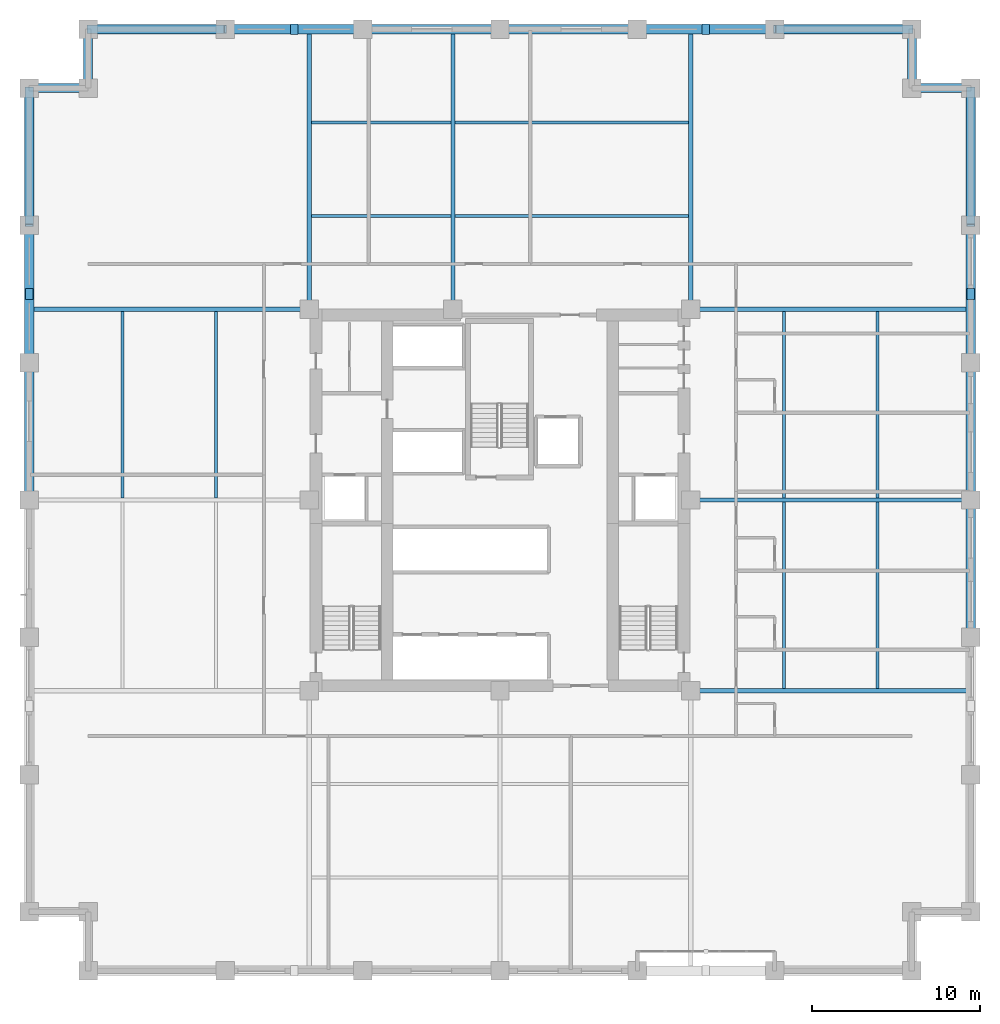
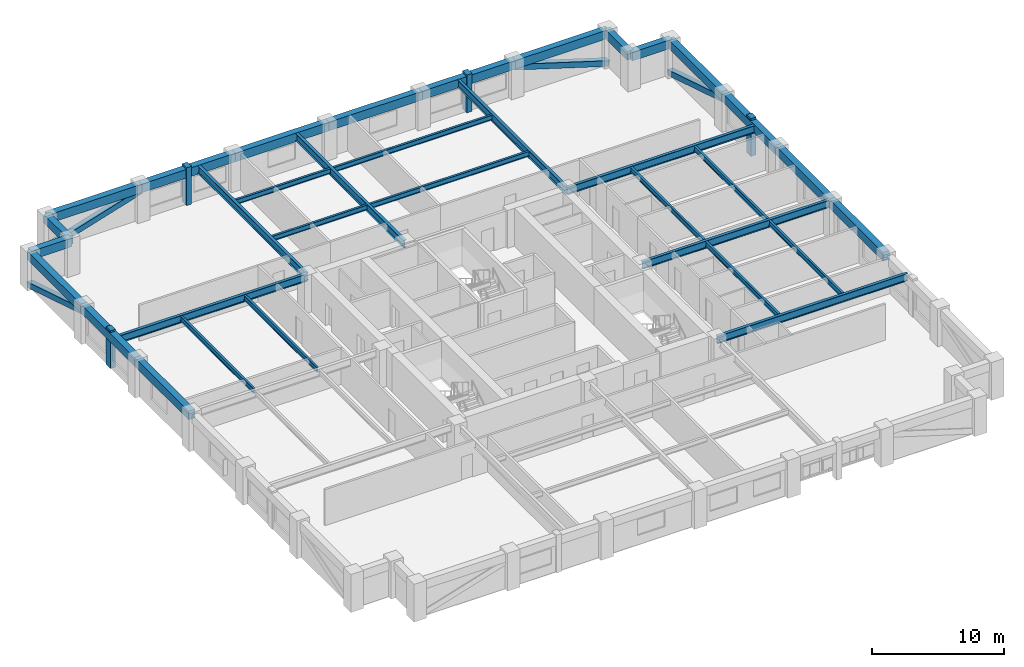
# One storey, part 3 of 11: 34 beams, 8 members.
"""IFC4 building model written with IfcOpenShell, lengths in metres."""

from ifc_helpers import new_model, si_unit, direction, frame, origin, origin_2d, place, context, subcontext, project, spatial, rectangle, hollow_rectangle, i_section, extrude, material, material_profile, profile_set, type_object, element, save


model = new_model("IFC4")

# Units and contexts
model_context = context("Model", 3, precision=1e-05, world=origin(), true_north=direction((0.0, 1.0)))
body_context = subcontext(model_context, "Body", "Model", "MODEL_VIEW")
ifc_project = project(units=[si_unit("LENGTHUNIT", "METRE"), si_unit("AREAUNIT", "SQUARE_METRE"), si_unit("VOLUMEUNIT", "CUBIC_METRE"), si_unit("PLANEANGLEUNIT", "RADIAN"), si_unit("MASSUNIT", "GRAM", prefix="KILO")], contexts=[model_context])

# Site, building, storey
site_placement = place(None, origin())
site = spatial("IfcSite", under=ifc_project, at=site_placement, CompositionType="ELEMENT")
building_placement = place(site_placement, origin())
building = spatial("IfcBuilding", under=site, at=building_placement, Name="Nhamokura Convention Tower", CompositionType="ELEMENT")
storey_placement = place(building_placement, frame((0.0, 0.0, 70.35009765625)))
storey = spatial("IfcBuildingStorey", under=building, at=storey_placement, Name="L16", CompositionType="ELEMENT", Elevation=70.35009765625)

# Members
ifc_material_1 = material(Name="Bronze-pigmented precast concrete C45/55", Category="concrete")
ifc_material_profile_1 = material_profile(ifc_material_1, rectangle(XDim=0.449951171875, YDim=0.64990234375, at=origin_2d()))
ifc_profile_set_1 = profile_set([ifc_material_profile_1], Name="Bronze-pigmented precast concrete C45/55")
member_type_1 = type_object("IfcMemberType", Name="BronzePilaster_650", PredefinedType="USERDEFINED", material=ifc_profile_set_1)
for number, where, z_axis, x_axis, name in (
    (1, (19.75, 60.0, 0.0), (0.0, 0.0, 1.0), (1.0, 0.0, 0.0), "L16 Engaged Frame Pilaster NORTH 1"),
    (2, (44.25, 60.0, 0.0), (0.0, 0.0, 1.0), (1.0, 0.0, 0.0), "L16 Engaged Frame Pilaster NORTH 4"),
    (3, (4.0, 44.25, 0.0), (0.0, 0.0, 1.0), (1.0, 0.0, 0.0), "L16 Engaged Frame Pilaster WEST 4"),
    (4, (60.0, 44.25, 0.0), (0.0, 0.0, 1.0), (1.0, 0.0, 0.0), "L16 Engaged Frame Pilaster EAST 4"),
):
    element("IfcMember", number, at=place(storey_placement, frame(where, z_axis=z_axis, x_axis=x_axis)), inside=storey, type_object=member_type_1, Name=name, ObjectType="PILASTER_TRIM", PredefinedType="USERDEFINED", context=body_context, shape_type="SweptSolid", body=[
        extrude(rectangle(XDim=0.449951171875, YDim=0.64990234375, at=origin_2d()), origin(), (0.0, 0.0, 1.0), 3.5),
    ])

# Beams
ifc_material_2 = material(Name="Steel ASTM A992 Gr 50", Category="steel")
ifc_material_profile_2 = material_profile(ifc_material_2, i_section(OverallWidth=0.18994140625, OverallDepth=0.45703125, WebThickness=0.009033203125, FlangeThickness=0.014404296875, at=origin_2d()))
ifc_profile_set_2 = profile_set([ifc_material_profile_2], Name="Steel ASTM A992 Gr 50")
beam_type_1 = type_object("IfcBeamType", Name="FloorJoist_W460X74", PredefinedType="JOIST", material=ifc_profile_set_2)
beam_1_placement = place(storey_placement, frame((20.77587890625, 48.89990234375, 3.09130859375), z_axis=(1.0, 0.0, 0.0), x_axis=(0.0, 1.0, 0.0)))
element("IfcBeam", 5, at=beam_1_placement, inside=storey, type_object=beam_type_1, Name="L16 Composite Floor Joist N1A", PredefinedType="JOIST", context=body_context, shape_type="SweptSolid", body=[
    extrude(i_section(OverallWidth=0.18994140625, OverallDepth=0.45703125, WebThickness=0.009033203125, FlangeThickness=0.014404296875, at=origin_2d()), origin(), (0.0, 0.0, 1.0), 8.298095703125),
])
beam_2_placement = place(storey_placement, frame((29.325927734375, 48.89990234375, 3.09130859375), z_axis=(1.0, 0.0, 0.0), x_axis=(0.0, 1.0, 0.0)))
element("IfcBeam", 6, at=beam_2_placement, inside=storey, type_object=beam_type_1, Name="L16 Composite Floor Joist N1B", PredefinedType="JOIST", context=body_context, shape_type="SweptSolid", body=[
    extrude(i_section(OverallWidth=0.18994140625, OverallDepth=0.45703125, WebThickness=0.009033203125, FlangeThickness=0.014404296875, at=origin_2d()), origin(), (0.0, 0.0, 1.0), 13.898193359375),
])
beam_3_placement = place(storey_placement, frame((20.77587890625, 54.449951171875, 3.09130859375), z_axis=(1.0, 0.0, 0.0), x_axis=(0.0, 1.0, 0.0)))
element("IfcBeam", 7, at=beam_3_placement, inside=storey, type_object=beam_type_1, Name="L16 Composite Floor Joist N2A", PredefinedType="JOIST", context=body_context, shape_type="SweptSolid", body=[
    extrude(i_section(OverallWidth=0.18994140625, OverallDepth=0.45703125, WebThickness=0.009033203125, FlangeThickness=0.014404296875, at=origin_2d()), origin(), (0.0, 0.0, 1.0), 8.298095703125),
])
beam_4_placement = place(storey_placement, frame((29.325927734375, 54.449951171875, 3.09130859375), z_axis=(1.0, 0.0, 0.0), x_axis=(0.0, 1.0, 0.0)))
element("IfcBeam", 8, at=beam_4_placement, inside=storey, type_object=beam_type_1, Name="L16 Composite Floor Joist N2B", PredefinedType="JOIST", context=body_context, shape_type="SweptSolid", body=[
    extrude(i_section(OverallWidth=0.18994140625, OverallDepth=0.45703125, WebThickness=0.009033203125, FlangeThickness=0.014404296875, at=origin_2d()), origin(), (0.0, 0.0, 1.0), 13.898193359375),
])
for number, where, z_axis, x_axis, name in (
    (9, (9.550048828125, 32.1259765625, 3.09130859375), (0.0, 1.0, 0.0), (-1.0, 0.0, 0.0), "L16 Composite Floor Joist W1B"),
    (10, (15.10009765625, 32.1259765625, 3.09130859375), (0.0, 1.0, 0.0), (-1.0, 0.0, 0.0), "L16 Composite Floor Joist W2B"),
    (11, (48.89990234375, 20.77587890625, 3.09130859375), (0.0, 1.0, 0.0), (-1.0, 0.0, 0.0), "L16 Composite Floor Joist E1A"),
    (12, (48.89990234375, 32.1259765625, 3.09130859375), (0.0, 1.0, 0.0), (-1.0, 0.0, 0.0), "L16 Composite Floor Joist E1B"),
    (13, (54.449951171875, 20.77587890625, 3.09130859375), (0.0, 1.0, 0.0), (-1.0, 0.0, 0.0), "L16 Composite Floor Joist E2A"),
    (14, (54.449951171875, 32.1259765625, 3.09130859375), (0.0, 1.0, 0.0), (-1.0, 0.0, 0.0), "L16 Composite Floor Joist E2B"),
):
    element("IfcBeam", number, at=place(storey_placement, frame(where, z_axis=z_axis, x_axis=x_axis)), inside=storey, type_object=beam_type_1, Name=name, PredefinedType="JOIST", context=body_context, shape_type="SweptSolid", body=[
        extrude(i_section(OverallWidth=0.18994140625, OverallDepth=0.45703125, WebThickness=0.009033203125, FlangeThickness=0.014404296875, at=origin_2d()), origin(), (0.0, 0.0, 1.0), 11.09814453125),
    ])
ifc_material_3 = material(Name="Steel ASTM A992 Gr 50", Category="steel")
ifc_material_profile_3 = material_profile(ifc_material_3, i_section(OverallWidth=0.256103515625, OverallDepth=0.693115234375, WebThickness=0.014404296875, FlangeThickness=0.023681640625, at=origin_2d()))
ifc_profile_set_3 = profile_set([ifc_material_profile_3], Name="Steel ASTM A992 Gr 50")
beam_type_2 = type_object("IfcBeamType", Name="PrimaryGirder_W690X170", PredefinedType="BEAM", material=ifc_profile_set_3)
for number, where, z_axis, x_axis, name in (
    (15, (20.64990234375, 43.35009765625, 2.973388671875), (0.0, 1.0, 0.0), (-1.0, 0.0, 0.0), "L16 Primary Floor Girder PG-N1"),
    (16, (29.199951171875, 43.35009765625, 2.973388671875), (0.0, 1.0, 0.0), (-1.0, 0.0, 0.0), "L16 Primary Floor Girder PG-N2"),
    (17, (43.35009765625, 43.35009765625, 2.973388671875), (0.0, 1.0, 0.0), (-1.0, 0.0, 0.0), "L16 Primary Floor Girder PG-N3"),
    (18, (4.0, 43.35009765625, 2.973388671875), (1.0, 0.0, 0.0), (0.0, 1.0, 0.0), "L16 Primary Floor Girder PG-W3"),
    (19, (43.35009765625, 20.64990234375, 2.973388671875), (1.0, 0.0, 0.0), (0.0, 1.0, 0.0), "L16 Primary Floor Girder PG-E1"),
    (20, (43.35009765625, 32.0, 2.973388671875), (1.0, 0.0, 0.0), (0.0, 1.0, 0.0), "L16 Primary Floor Girder PG-E2"),
    (21, (43.35009765625, 43.35009765625, 2.973388671875), (1.0, 0.0, 0.0), (0.0, 1.0, 0.0), "L16 Primary Floor Girder PG-E3"),
):
    element("IfcBeam", number, at=place(storey_placement, frame(where, z_axis=z_axis, x_axis=x_axis)), inside=storey, type_object=beam_type_2, Name=name, PredefinedType="BEAM", context=body_context, shape_type="SweptSolid", body=[
        extrude(i_section(OverallWidth=0.256103515625, OverallDepth=0.693115234375, WebThickness=0.014404296875, FlangeThickness=0.023681640625, at=origin_2d()), origin(), (0.0, 0.0, 1.0), 16.64990234375),
    ])

# Members
ifc_material_4 = material(Name="Steel ASTM A572 Gr 50", Category="steel")
ifc_material_profile_4 = material_profile(ifc_material_4, hollow_rectangle(XDim=0.5, YDim=0.5, WallThickness=0.02490234375, at=origin_2d()))
ifc_profile_set_4 = profile_set([ifc_material_profile_4], Name="Steel ASTM A572 Gr 50")
member_type_2 = type_object("IfcMemberType", Name="TubeBrace_HSS500", PredefinedType="BRACE", material=ifc_profile_set_4)
for number, where, z_axis, x_axis, name in (
    (22, (7.5, 60.0, 0.14990234375), (0.955542765986, 0.0, 0.294852543437), (0.0, 1.0, 0.0), "L16 Perimeter Tube Brace NORTH Bay 0"),
    (23, (56.5, 60.0, 0.14990234375), (-0.955542765986, 0.0, 0.294852543437), (0.0, -1.0, 0.0), "L16 Perimeter Tube Brace NORTH Bay 5"),
    (24, (4.0, 56.5, 0.14990234375), (0.0, -0.955542765986, 0.294852543437), (1.0, 0.0, 0.0), "L16 Perimeter Tube Brace WEST Bay 5"),
    (25, (60.0, 56.5, 0.14990234375), (0.0, -0.955542765986, 0.294852543437), (1.0, 0.0, 0.0), "L16 Perimeter Tube Brace EAST Bay 5"),
):
    element("IfcMember", number, at=place(storey_placement, frame(where, z_axis=z_axis, x_axis=x_axis)), inside=storey, type_object=member_type_2, Name=name, PredefinedType="BRACE", context=body_context, shape_type="SweptSolid", body=[
        extrude(hollow_rectangle(XDim=0.5, YDim=0.5, WallThickness=0.02490234375, at=origin_2d()), origin(), (0.0, 0.0, 1.0), 8.546630859375),
    ])

# Beams
ifc_material_5 = material(Name="Concrete C50/60", Category="concrete")
ifc_material_profile_5 = material_profile(ifc_material_5, rectangle(XDim=0.550048828125, YDim=0.800048828125, at=origin_2d()))
ifc_profile_set_5 = profile_set([ifc_material_profile_5], Name="Concrete C50/60")
beam_type_3 = type_object("IfcBeamType", Name="TubeSpandrel_800", PredefinedType="SPANDREL", material=ifc_profile_set_5)
beam_5_placement = place(storey_placement, frame((7.5, 60.0, 2.919921875), z_axis=(1.0, 0.0, 0.0), x_axis=(0.0, 1.0, 0.0)))
element("IfcBeam", 26, at=beam_5_placement, inside=storey, type_object=beam_type_3, Name="L16 Perimeter Spandrel NORTH 1", PredefinedType="SPANDREL", context=body_context, shape_type="SweptSolid", body=[
    extrude(rectangle(XDim=0.550048828125, YDim=0.800048828125, at=origin_2d()), origin(), (0.0, 0.0, 1.0), 8.166748046875),
])
beam_6_placement = place(storey_placement, frame((15.666748046875, 60.0, 2.919921875), z_axis=(1.0, 0.0, 0.0), x_axis=(0.0, 1.0, 0.0)))
element("IfcBeam", 27, at=beam_6_placement, inside=storey, type_object=beam_type_3, Name="L16 Perimeter Spandrel NORTH 2", PredefinedType="SPANDREL", context=body_context, shape_type="SweptSolid", body=[
    extrude(rectangle(XDim=0.550048828125, YDim=0.800048828125, at=origin_2d()), origin(), (0.0, 0.0, 1.0), 8.16650390625),
])
for number, where, z_axis, x_axis, name in (
    (28, (23.833251953125, 60.0, 2.919921875), (1.0, 0.0, 0.0), (0.0, 1.0, 0.0), "L16 Perimeter Spandrel NORTH 3"),
    (29, (32.0, 60.0, 2.919921875), (1.0, 0.0, 0.0), (0.0, 1.0, 0.0), "L16 Perimeter Spandrel NORTH 4"),
):
    element("IfcBeam", number, at=place(storey_placement, frame(where, z_axis=z_axis, x_axis=x_axis)), inside=storey, type_object=beam_type_3, Name=name, PredefinedType="SPANDREL", context=body_context, shape_type="SweptSolid", body=[
        extrude(rectangle(XDim=0.550048828125, YDim=0.800048828125, at=origin_2d()), origin(), (0.0, 0.0, 1.0), 8.166748046875),
    ])
beam_7_placement = place(storey_placement, frame((40.166748046875, 60.0, 2.919921875), z_axis=(1.0, 0.0, 0.0), x_axis=(0.0, 1.0, 0.0)))
element("IfcBeam", 30, at=beam_7_placement, inside=storey, type_object=beam_type_3, Name="L16 Perimeter Spandrel NORTH 5", PredefinedType="SPANDREL", context=body_context, shape_type="SweptSolid", body=[
    extrude(rectangle(XDim=0.550048828125, YDim=0.800048828125, at=origin_2d()), origin(), (0.0, 0.0, 1.0), 8.16650390625),
])
for number, where, z_axis, x_axis, name in (
    (31, (48.333251953125, 60.0, 2.919921875), (1.0, 0.0, 0.0), (0.0, 1.0, 0.0), "L16 Perimeter Spandrel NORTH 6"),
    (32, (4.0, 32.0, 2.919921875), (0.0, 1.0, 0.0), (-1.0, 0.0, 0.0), "L16 Perimeter Spandrel WEST 4"),
):
    element("IfcBeam", number, at=place(storey_placement, frame(where, z_axis=z_axis, x_axis=x_axis)), inside=storey, type_object=beam_type_3, Name=name, PredefinedType="SPANDREL", context=body_context, shape_type="SweptSolid", body=[
        extrude(rectangle(XDim=0.550048828125, YDim=0.800048828125, at=origin_2d()), origin(), (0.0, 0.0, 1.0), 8.166748046875),
    ])
beam_8_placement = place(storey_placement, frame((4.0, 40.166748046875, 2.919921875), z_axis=(0.0, 1.0, 0.0), x_axis=(-1.0, 0.0, 0.0)))
element("IfcBeam", 33, at=beam_8_placement, inside=storey, type_object=beam_type_3, Name="L16 Perimeter Spandrel WEST 5", PredefinedType="SPANDREL", context=body_context, shape_type="SweptSolid", body=[
    extrude(rectangle(XDim=0.550048828125, YDim=0.800048828125, at=origin_2d()), origin(), (0.0, 0.0, 1.0), 8.16650390625),
])
for number, where, z_axis, x_axis, name in (
    (34, (4.0, 48.333251953125, 2.919921875), (0.0, 1.0, 0.0), (-1.0, 0.0, 0.0), "L16 Perimeter Spandrel WEST 6"),
    (35, (60.0, 23.833251953125, 2.919921875), (0.0, 1.0, 0.0), (-1.0, 0.0, 0.0), "L16 Perimeter Spandrel EAST 3"),
    (36, (60.0, 32.0, 2.919921875), (0.0, 1.0, 0.0), (-1.0, 0.0, 0.0), "L16 Perimeter Spandrel EAST 4"),
):
    element("IfcBeam", number, at=place(storey_placement, frame(where, z_axis=z_axis, x_axis=x_axis)), inside=storey, type_object=beam_type_3, Name=name, PredefinedType="SPANDREL", context=body_context, shape_type="SweptSolid", body=[
        extrude(rectangle(XDim=0.550048828125, YDim=0.800048828125, at=origin_2d()), origin(), (0.0, 0.0, 1.0), 8.166748046875),
    ])
beam_9_placement = place(storey_placement, frame((60.0, 40.166748046875, 2.919921875), z_axis=(0.0, 1.0, 0.0), x_axis=(-1.0, 0.0, 0.0)))
element("IfcBeam", 37, at=beam_9_placement, inside=storey, type_object=beam_type_3, Name="L16 Perimeter Spandrel EAST 5", PredefinedType="SPANDREL", context=body_context, shape_type="SweptSolid", body=[
    extrude(rectangle(XDim=0.550048828125, YDim=0.800048828125, at=origin_2d()), origin(), (0.0, 0.0, 1.0), 8.16650390625),
])
beam_10_placement = place(storey_placement, frame((60.0, 48.333251953125, 2.919921875), z_axis=(0.0, 1.0, 0.0), x_axis=(-1.0, 0.0, 0.0)))
element("IfcBeam", 38, at=beam_10_placement, inside=storey, type_object=beam_type_3, Name="L16 Perimeter Spandrel EAST 6", PredefinedType="SPANDREL", context=body_context, shape_type="SweptSolid", body=[
    extrude(rectangle(XDim=0.550048828125, YDim=0.800048828125, at=origin_2d()), origin(), (0.0, 0.0, 1.0), 8.166748046875),
])
for number, where, z_axis, x_axis, name in (
    (39, (60.0, 56.5, 2.919921875), (-1.0, 0.0, 0.0), (0.0, -1.0, 0.0), "L16 Notch Spandrel NE1"),
    (40, (56.5, 56.5, 2.919921875), (0.0, 1.0, 0.0), (-1.0, 0.0, 0.0), "L16 Notch Spandrel NE2"),
    (41, (7.5, 60.0, 2.919921875), (0.0, -1.0, 0.0), (1.0, 0.0, 0.0), "L16 Notch Spandrel NW1"),
    (42, (7.5, 56.5, 2.919921875), (-1.0, 0.0, 0.0), (0.0, -1.0, 0.0), "L16 Notch Spandrel NW2"),
):
    element("IfcBeam", number, at=place(storey_placement, frame(where, z_axis=z_axis, x_axis=x_axis)), inside=storey, type_object=beam_type_3, Name=name, PredefinedType="SPANDREL", context=body_context, shape_type="SweptSolid", body=[
        extrude(rectangle(XDim=0.550048828125, YDim=0.800048828125, at=origin_2d()), origin(), (0.0, 0.0, 1.0), 3.5),
    ])

save(model, "model.ifc")
